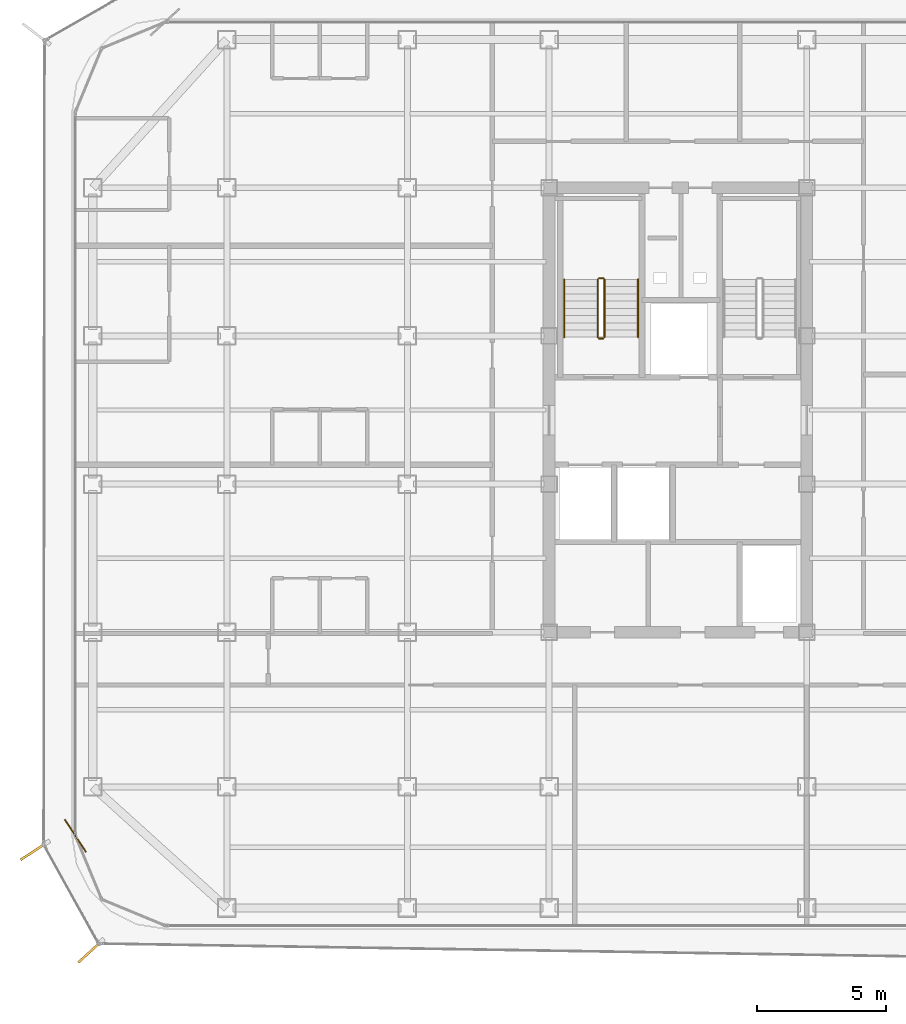
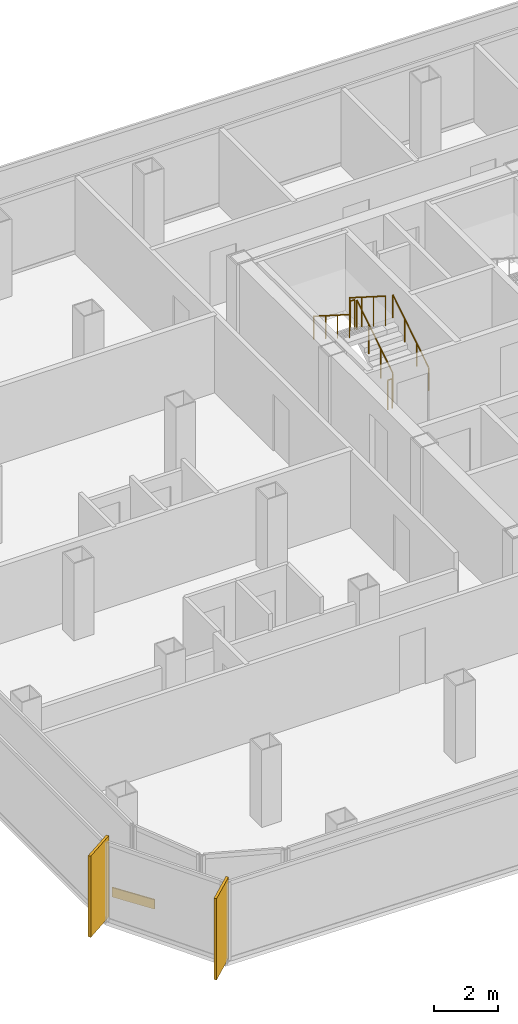
# One storey, part 13 of 15: 6 railings, 2 shading devices, 1 covering.
"""IFC4 building model written with IfcOpenShell, lengths in metres."""

from ifc_helpers import new_model, si_unit, direction, frame, origin, origin_2d, place, context, subcontext, project, spatial, rectangle, circle, extrude, source, transform, mapped, material, layer, layer_set, type_object, element, save


model = new_model("IFC4")

# Units and contexts
model_context = context("Model", 3, precision=1e-05, world=origin(), true_north=direction((0.0, 1.0)))
body_context = subcontext(model_context, "Body", "Model", "MODEL_VIEW")
ifc_project = project(units=[si_unit("LENGTHUNIT", "METRE"), si_unit("AREAUNIT", "SQUARE_METRE"), si_unit("VOLUMEUNIT", "CUBIC_METRE"), si_unit("PLANEANGLEUNIT", "RADIAN"), si_unit("MASSUNIT", "GRAM", prefix="KILO")], contexts=[model_context])

# Site, building, storey
site_placement = place(None, origin())
site = spatial("IfcSite", under=ifc_project, at=site_placement, CompositionType="ELEMENT")
building_placement = place(site_placement, origin())
building = spatial("IfcBuilding", under=site, at=building_placement, Name="Kolveth Station Tower", CompositionType="ELEMENT")
storey_placement = place(building_placement, frame((0.0, 0.0, 172.10009765625)))
storey = spatial("IfcBuildingStorey", under=building, at=storey_placement, Name="L48", CompositionType="ELEMENT", Elevation=172.10009765625)

# Railings
ifc_material_1 = material(Name="Painted Steel S355 balustrade", Category="steel")
railing_type_1 = type_object("IfcRailingType", Name="Guard_GR2", PredefinedType="BALUSTRADE", material=ifc_material_1)
railing_1_placement = place(storey_placement, frame((20.64990234375, 22.949951171875, 0.177734375)))
element("IfcRailing", 1, at=railing_1_placement, inside=storey, type_object=railing_type_1, Name="L48 ST1 stair guard 1", PredefinedType="BALUSTRADE", context=body_context, shape_type="SweptSolid", body=[
    extrude(circle(Radius=0.02392578125, at=origin_2d()), frame((0.0, 0.0, 1.1259765625), z_axis=(0.0, 0.8442293374, 0.53598211339), x_axis=(-1.0, 0.0, 0.0)), (0.0, 0.0, 1.0), 2.6533203125),
    extrude(circle(Radius=0.02099609375, at=origin_2d()), origin(), (0.0, 0.0, 1.0), 1.101806640625),
    extrude(circle(Radius=0.02099609375, at=origin_2d()), frame((0.0, 0.74658203125, 0.47412109375)), (0.0, 0.0, 1.0), 1.101806640625),
    extrude(circle(Radius=0.02099609375, at=origin_2d()), frame((0.0, 1.493408203125, 0.947998046875)), (0.0, 0.0, 1.0), 1.101806640625),
    extrude(circle(Radius=0.02099609375, at=origin_2d()), frame((0.0, 2.239990234375, 1.422119140625)), (0.0, 0.0, 1.0), 1.101806640625),
])
railing_2_placement = place(storey_placement, frame((20.60009765625, 25.239990234375, 1.599853515625)))
element("IfcRailing", 2, at=railing_2_placement, inside=storey, type_object=railing_type_1, Name="L48 ST1 stair guard 2", PredefinedType="BALUSTRADE", context=body_context, shape_type="SweptSolid", body=[
    extrude(circle(Radius=0.02392578125, at=origin_2d()), frame((0.0, 0.0, 1.1259765625), z_axis=(-1.0, 0.0, 0.0), x_axis=(0.0, -1.0, 0.0)), (0.0, 0.0, 1.0), 0.16015625),
    extrude(circle(Radius=0.02099609375, at=origin_2d()), origin(), (0.0, 0.0, 1.0), 1.101806640625),
    extrude(circle(Radius=0.02099609375, at=origin_2d()), frame((-0.16015625, 0.0, 0.0)), (0.0, 0.0, 1.0), 1.101806640625),
])
railing_3_placement = place(storey_placement, frame((20.389892578125, 25.18994140625, 1.777587890625)))
element("IfcRailing", 3, at=railing_3_placement, inside=storey, type_object=railing_type_1, Name="L48 ST1 stair guard 3", PredefinedType="BALUSTRADE", context=body_context, shape_type="SweptSolid", body=[
    extrude(circle(Radius=0.02392578125, at=origin_2d()), frame((0.0, 0.0, 1.1259765625), z_axis=(0.0, -0.84418770128, 0.536047689118), x_axis=(1.0, 0.0, 0.0)), (0.0, 0.0, 1.0), 2.6533203125),
    extrude(circle(Radius=0.02099609375, at=origin_2d()), origin(), (0.0, 0.0, 1.0), 1.101806640625),
    extrude(circle(Radius=0.02099609375, at=origin_2d()), frame((0.0, -0.74658203125, 0.47412109375)), (0.0, 0.0, 1.0), 1.101806640625),
    extrude(circle(Radius=0.02099609375, at=origin_2d()), frame((0.0, -1.493408203125, 0.9482421875)), (0.0, 0.0, 1.0), 1.101806640625),
    extrude(circle(Radius=0.02099609375, at=origin_2d()), frame((0.0, -2.239990234375, 1.42236328125)), (0.0, 0.0, 1.0), 1.101806640625),
])
railing_4_placement = place(storey_placement, frame((20.60009765625, 22.89990234375, 0.0)))
element("IfcRailing", 4, at=railing_4_placement, inside=storey, type_object=railing_type_1, Name="L48 ST1 stair guard 4", PredefinedType="BALUSTRADE", context=body_context, shape_type="SweptSolid", body=[
    extrude(circle(Radius=0.02392578125, at=origin_2d()), frame((0.0, 0.0, 1.1259765625), z_axis=(-1.0, 0.0, 0.0), x_axis=(0.0, -1.0, 0.0)), (0.0, 0.0, 1.0), 0.16015625),
    extrude(circle(Radius=0.02099609375, at=origin_2d()), origin(), (0.0, 0.0, 1.0), 1.101806640625),
    extrude(circle(Radius=0.02099609375, at=origin_2d()), frame((-0.16015625, 0.0, 0.0)), (0.0, 0.0, 1.0), 1.101806640625),
])
ifc_material_2 = material(Name="Brushed stainless steel", Category="steel")
railing_type_2 = type_object("IfcRailingType", Name="Handrail_HR1", PredefinedType="HANDRAIL", material=ifc_material_2)
railing_5_placement = place(storey_placement, frame((21.949951171875, 22.949951171875, 0.177734375)))
element("IfcRailing", 5, at=railing_5_placement, inside=storey, type_object=railing_type_2, Name="L48 ST1 stair handrail 1", PredefinedType="HANDRAIL", context=body_context, shape_type="SweptSolid", body=[
    extrude(circle(Radius=0.02392578125, at=origin_2d()), frame((0.0, 0.0, 0.8759765625), z_axis=(0.0, 0.8442293374, 0.53598211339), x_axis=(-1.0, 0.0, 0.0)), (0.0, 0.0, 1.0), 2.6533203125),
    extrude(circle(Radius=0.02099609375, at=origin_2d()), origin(), (0.0, 0.0, 1.0), 0.851806640625),
    extrude(circle(Radius=0.02099609375, at=origin_2d()), frame((0.0, 0.74658203125, 0.47412109375)), (0.0, 0.0, 1.0), 0.851806640625),
    extrude(circle(Radius=0.02099609375, at=origin_2d()), frame((0.0, 1.493408203125, 0.947998046875)), (0.0, 0.0, 1.0), 0.851806640625),
    extrude(circle(Radius=0.02099609375, at=origin_2d()), frame((0.0, 2.239990234375, 1.422119140625)), (0.0, 0.0, 1.0), 0.851806640625),
])
railing_6_placement = place(storey_placement, frame((19.090087890625, 25.18994140625, 1.777587890625)))
element("IfcRailing", 6, at=railing_6_placement, inside=storey, type_object=railing_type_2, Name="L48 ST1 stair handrail 2", PredefinedType="HANDRAIL", context=body_context, shape_type="SweptSolid", body=[
    extrude(circle(Radius=0.02392578125, at=origin_2d()), frame((0.0, 0.0, 0.8759765625), z_axis=(0.0, -0.84418770128, 0.536047689118), x_axis=(1.0, 0.0, 0.0)), (0.0, 0.0, 1.0), 2.6533203125),
    extrude(circle(Radius=0.02099609375, at=origin_2d()), origin(), (0.0, 0.0, 1.0), 0.851806640625),
    extrude(circle(Radius=0.02099609375, at=origin_2d()), frame((0.0, -0.74658203125, 0.47412109375)), (0.0, 0.0, 1.0), 0.851806640625),
    extrude(circle(Radius=0.02099609375, at=origin_2d()), frame((0.0, -1.493408203125, 0.9482421875)), (0.0, 0.0, 1.0), 0.851806640625),
    extrude(circle(Radius=0.02099609375, at=origin_2d()), frame((0.0, -2.239990234375, 1.42236328125)), (0.0, 0.0, 1.0), 0.851806640625),
])

# Shading devices
ifc_material_3 = material(Name="Black anodized aluminium 6063-T6", Category="aluminium")
shading_device_type = type_object("IfcShadingDeviceType", Name="FIN_VF1", PredefinedType="USERDEFINED", material=ifc_material_3)
shared_shape_1 = source(origin(), body_context, "Body", "SweptSolid", [
    extrude(rectangle(XDim=1.25, YDim=0.090087890625, at=origin_2d()), origin(), (0.0, 0.0, 1.0), 3.10009765625),
])
for number, where, z_axis, x_axis, name in (
    (7, (-1.48193359375, 3.010986328125, -0.000244140625), (0.0, 0.0, 1.0), (-0.836859868525, -0.54741717223, 0.0), "L48 Dark-Aluminium Solar Fin 7"),
    (8, (0.696044921875, -0.889892578125, -0.000244140625), (0.0, 0.0, 1.0), (-0.736805506238, -0.676104759618, 0.0), "L48 Dark-Aluminium Solar Fin 8"),
):
    element("IfcShadingDevice", number, at=place(storey_placement, frame(where, z_axis=z_axis, x_axis=x_axis)), inside=storey, type_object=shading_device_type, Name=name, ObjectType="FIN", PredefinedType="USERDEFINED", context=body_context, shape_type="MappedRepresentation", body=[
        mapped(shared_shape_1, transform((0.0, 0.0, 0.0), x_axis=(1.0, 0.0, 0.0), y_axis=(0.0, 1.0, 0.0), z_axis=(0.0, 0.0, 1.0), scale=1.0)),
    ])

# Covering
ifc_material_4 = material(Name="Charcoal anodized aluminium spandrel cladding", Category="aluminium")
ifc_layer = layer(ifc_material_4, 0.044921875)
ifc_layer_set = layer_set([ifc_layer], Name="Charcoal anodized aluminium spandrel cladding")
covering_type = type_object("IfcCoveringType", Name="Clad_CD1", PredefinedType="CLADDING", material=ifc_layer_set)
shared_shape_2 = source(origin(), body_context, "Body", "SweptSolid", [
    extrude(rectangle(XDim=1.5, YDim=0.044921875, at=origin_2d()), origin(), (0.0, 0.0, 1.0), 0.360107421875),
])
covering_placement = place(storey_placement, frame((0.1201171875, 3.60009765625, 0.0), z_axis=(0.0, 0.0, 1.0), x_axis=(0.54741717223, -0.836859868525, 0.0)))
element("IfcCovering", 9, at=covering_placement, inside=storey, type_object=covering_type, Name="L48 Spandrel Edge Cladding 7", PredefinedType="CLADDING", context=body_context, shape_type="MappedRepresentation", body=[
    mapped(shared_shape_2, transform((0.0, 0.0, 0.0), x_axis=(1.0, 0.0, 0.0), y_axis=(0.0, 1.0, 0.0), z_axis=(0.0, 0.0, 1.0), scale=1.0)),
])

save(model, "model.ifc")
